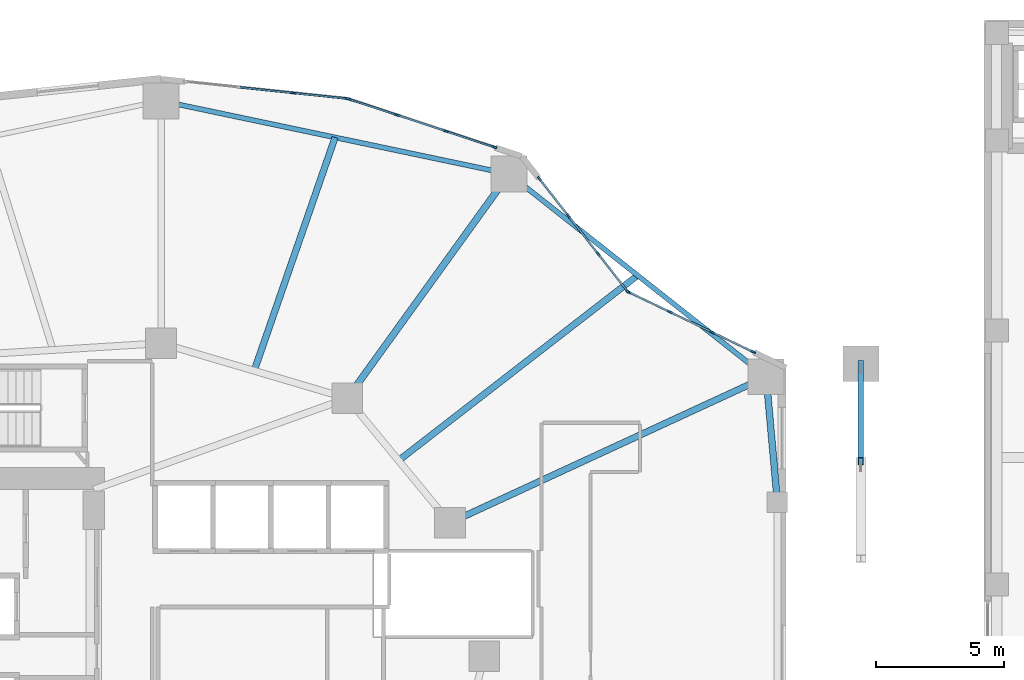
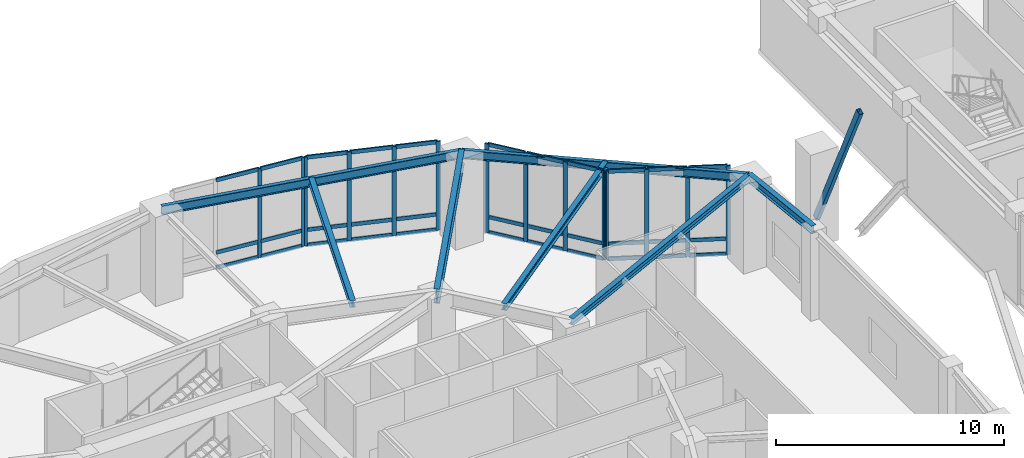
# One storey, part 7 of 24: 48 members, 7 beams, 4 elements without a shape of their own.
"""IFC4 building model written with IfcOpenShell, lengths in metres."""

from ifc_helpers import new_model, si_unit, direction, frame, origin, origin_2d, place, context, subcontext, project, spatial, rectangle, hollow_rectangle, i_section, extrude, material, layer, layer_set, material_profile, profile_set, type_object, element, aggregate, save


model = new_model("IFC4")

# Units and contexts
model_context = context("Model", 3, precision=1e-05, world=origin(), true_north=direction((0.0, 1.0)))
body_context = subcontext(model_context, "Body", "Model", "MODEL_VIEW")
ifc_project = project(units=[si_unit("LENGTHUNIT", "METRE"), si_unit("AREAUNIT", "SQUARE_METRE"), si_unit("VOLUMEUNIT", "CUBIC_METRE"), si_unit("PLANEANGLEUNIT", "RADIAN"), si_unit("MASSUNIT", "GRAM", prefix="KILO")], contexts=[model_context])

# Site, building, storey
site_placement = place(None, origin())
site = spatial("IfcSite", under=ifc_project, at=site_placement, CompositionType="ELEMENT")
building_placement = place(site_placement, origin())
building = spatial("IfcBuilding", under=site, at=building_placement, Name="Kolvaren Gate Tower and Convention Centre", CompositionType="ELEMENT")
storey_placement = place(building_placement, frame((0.0, 0.0, 10.0)))
storey = spatial("IfcBuildingStorey", under=building, at=storey_placement, Name="L02", CompositionType="ELEMENT", Elevation=10.0)

# Curtain wall, members
ifc_material_1 = material(Name="Anodized Architectural Aluminium Alloy 6063-T6", Category="aluminium")
ifc_layer = layer(ifc_material_1, 0.179931640625)
ifc_layer_set = layer_set([ifc_layer], Name="Anodized Architectural Aluminium Alloy 6063-T6")
curtain_wall_type = type_object("IfcCurtainWallType", Name="CW-POD-GLZ", PredefinedType="NOTDEFINED", material=ifc_layer_set)
curtain_wall_1_placement = place(storey_placement, origin())
curtain_wall_1 = element("IfcCurtainWall", 1, at=curtain_wall_1_placement, inside=storey, type_object=curtain_wall_type, Name="Tower L02 Unitised Curtain Wall CW-POD-GLZ Bay 02", PredefinedType="NOTDEFINED")
ifc_material_profile_1 = material_profile(ifc_material_1, rectangle(XDim=0.074951171875, YDim=0.199951171875, at=origin_2d()), Name="CW-MEM-MUL-200")
ifc_profile_set_1 = profile_set([ifc_material_profile_1], Name="Anodized Architectural Aluminium Alloy 6063-T6")
member_type_1 = type_object("IfcMemberType", Name="CW-MEM-MUL-200", PredefinedType="MULLION", material=ifc_profile_set_1)
member_1_placement = place(storey_placement, frame((48.34912109375, 41.196533203125, 0.0), z_axis=(0.0, 0.0, 1.0), x_axis=(0.433062688542, 0.90136380435, 0.0)))
member_1 = element("IfcMember", 2, at=member_1_placement, type_object=member_type_1, Name="CW-01 mullion 1", PredefinedType="MULLION", context=body_context, shape_type="SweptSolid", body=[
    extrude(rectangle(XDim=0.074951171875, YDim=0.199951171875, at=origin_2d()), origin(), (0.0, 0.0, 1.0), 4.760009765625),
])
member_2_placement = place(storey_placement, frame((49.955810546875, 40.424560546875, 0.0), z_axis=(0.0, 0.0, 1.0), x_axis=(0.433062688542, 0.90136380435, 0.0)))
member_2 = element("IfcMember", 3, at=member_2_placement, type_object=member_type_1, Name="CW-01 mullion 2", PredefinedType="MULLION", context=body_context, shape_type="SweptSolid", body=[
    extrude(rectangle(XDim=0.074951171875, YDim=0.199951171875, at=origin_2d()), origin(), (0.0, 0.0, 1.0), 4.760009765625),
])
member_3_placement = place(storey_placement, frame((51.59619140625, 39.636474609375, 0.0), z_axis=(0.0, 0.0, 1.0), x_axis=(0.433062688542, 0.90136380435, 0.0)))
member_3 = element("IfcMember", 4, at=member_3_placement, type_object=member_type_1, Name="CW-01 mullion 3", PredefinedType="MULLION", context=body_context, shape_type="SweptSolid", body=[
    extrude(rectangle(XDim=0.074951171875, YDim=0.199951171875, at=origin_2d()), origin(), (0.0, 0.0, 1.0), 4.760009765625),
])
member_4_placement = place(storey_placement, frame((53.202880859375, 38.864501953125, 0.0), z_axis=(0.0, 0.0, 1.0), x_axis=(0.433062688542, 0.90136380435, 0.0)))
member_4 = element("IfcMember", 5, at=member_4_placement, type_object=member_type_1, Name="CW-01 mullion 4", PredefinedType="MULLION", context=body_context, shape_type="SweptSolid", body=[
    extrude(rectangle(XDim=0.074951171875, YDim=0.199951171875, at=origin_2d()), origin(), (0.0, 0.0, 1.0), 4.760009765625),
])

curtain_wall_2_placement = place(storey_placement, origin())
curtain_wall_2 = element("IfcCurtainWall", 6, at=curtain_wall_2_placement, inside=storey, type_object=curtain_wall_type, Name="Tower L02 Unitised Curtain Wall CW-POD-GLZ Bay 03", PredefinedType="NOTDEFINED")
member_5_placement = place(storey_placement, frame((44.8740234375, 45.60888671875, 0.0), z_axis=(0.0, 0.0, 1.0), x_axis=(0.787413004527, 0.616425794643, 0.0)))
member_5 = element("IfcMember", 7, at=member_5_placement, type_object=member_type_1, Name="CW-01 mullion 1", PredefinedType="MULLION", context=body_context, shape_type="SweptSolid", body=[
    extrude(rectangle(XDim=0.074951171875, YDim=0.199951171875, at=origin_2d()), origin(), (0.0, 0.0, 1.0), 4.760009765625),
])
member_6_placement = place(storey_placement, frame((46.005615234375, 44.1630859375, 0.0), z_axis=(0.0, 0.0, 1.0), x_axis=(0.787413004527, 0.616425794643, 0.0)))
member_6 = element("IfcMember", 8, at=member_6_placement, type_object=member_type_1, Name="CW-01 mullion 2", PredefinedType="MULLION", context=body_context, shape_type="SweptSolid", body=[
    extrude(rectangle(XDim=0.074951171875, YDim=0.199951171875, at=origin_2d()), origin(), (0.0, 0.0, 1.0), 4.760009765625),
])
member_7_placement = place(storey_placement, frame((47.160400390625, 42.68798828125, 0.0), z_axis=(0.0, 0.0, 1.0), x_axis=(0.787413004527, 0.616425794643, 0.0)))
member_7 = element("IfcMember", 9, at=member_7_placement, type_object=member_type_1, Name="CW-01 mullion 3", PredefinedType="MULLION", context=body_context, shape_type="SweptSolid", body=[
    extrude(rectangle(XDim=0.074951171875, YDim=0.199951171875, at=origin_2d()), origin(), (0.0, 0.0, 1.0), 4.760009765625),
])
member_8_placement = place(storey_placement, frame((48.292236328125, 41.242431640625, 0.0), z_axis=(0.0, 0.0, 1.0), x_axis=(0.787413004527, 0.616425794643, 0.0)))
member_8 = element("IfcMember", 10, at=member_8_placement, type_object=member_type_1, Name="CW-01 mullion 4", PredefinedType="MULLION", context=body_context, shape_type="SweptSolid", body=[
    extrude(rectangle(XDim=0.074951171875, YDim=0.199951171875, at=origin_2d()), origin(), (0.0, 0.0, 1.0), 4.760009765625),
])

curtain_wall_3_placement = place(storey_placement, origin())
curtain_wall_3 = element("IfcCurtainWall", 11, at=curtain_wall_3_placement, inside=storey, type_object=curtain_wall_type, Name="Tower L02 Unitised Curtain Wall CW-POD-GLZ Bay 04", PredefinedType="NOTDEFINED")
member_9_placement = place(storey_placement, frame((37.43994140625, 48.721435546875, 0.0), z_axis=(0.0, 0.0, 1.0), x_axis=(0.314541602786, 0.949243688479, 0.0)))
member_9 = element("IfcMember", 12, at=member_9_placement, type_object=member_type_1, Name="CW-01 mullion 1", PredefinedType="MULLION", context=body_context, shape_type="SweptSolid", body=[
    extrude(rectangle(XDim=0.074951171875, YDim=0.199951171875, at=origin_2d()), origin(), (0.0, 0.0, 1.0), 4.760009765625),
])
member_10_placement = place(storey_placement, frame((39.31884765625, 48.098876953125, 0.0), z_axis=(0.0, 0.0, 1.0), x_axis=(0.314541602786, 0.949243688479, 0.0)))
member_10 = element("IfcMember", 13, at=member_10_placement, type_object=member_type_1, Name="CW-01 mullion 2", PredefinedType="MULLION", context=body_context, shape_type="SweptSolid", body=[
    extrude(rectangle(XDim=0.074951171875, YDim=0.199951171875, at=origin_2d()), origin(), (0.0, 0.0, 1.0), 4.760009765625),
])
member_11_placement = place(storey_placement, frame((41.233642578125, 47.46435546875, 0.0), z_axis=(0.0, 0.0, 1.0), x_axis=(0.314541602786, 0.949243688479, 0.0)))
member_11 = element("IfcMember", 14, at=member_11_placement, type_object=member_type_1, Name="CW-01 mullion 3", PredefinedType="MULLION", context=body_context, shape_type="SweptSolid", body=[
    extrude(rectangle(XDim=0.074951171875, YDim=0.199951171875, at=origin_2d()), origin(), (0.0, 0.0, 1.0), 4.760009765625),
])
member_12_placement = place(storey_placement, frame((43.112548828125, 46.841796875, 0.0), z_axis=(0.0, 0.0, 1.0), x_axis=(0.314541602786, 0.949243688479, 0.0)))
member_12 = element("IfcMember", 15, at=member_12_placement, type_object=member_type_1, Name="CW-01 mullion 4", PredefinedType="MULLION", context=body_context, shape_type="SweptSolid", body=[
    extrude(rectangle(XDim=0.074951171875, YDim=0.199951171875, at=origin_2d()), origin(), (0.0, 0.0, 1.0), 4.760009765625),
])

curtain_wall_4_placement = place(storey_placement, origin())
curtain_wall_4 = element("IfcCurtainWall", 16, at=curtain_wall_4_placement, inside=storey, type_object=curtain_wall_type, Name="Tower L02 Unitised Curtain Wall CW-POD-GLZ Bay 05", PredefinedType="NOTDEFINED")
member_13_placement = place(storey_placement, frame((35.285888671875, 48.95654296875, 0.0), z_axis=(0.0, 0.0, 1.0), x_axis=(0.104748319841, 0.994498762941, 0.0)))
member_13 = element("IfcMember", 17, at=member_13_placement, type_object=member_type_1, Name="CW-01 mullion 3", PredefinedType="MULLION", context=body_context, shape_type="SweptSolid", body=[
    extrude(rectangle(XDim=0.074951171875, YDim=0.199951171875, at=origin_2d()), origin(), (0.0, 0.0, 1.0), 4.760009765625),
])
member_14_placement = place(storey_placement, frame((37.366943359375, 48.7373046875, 0.0), z_axis=(0.0, 0.0, 1.0), x_axis=(0.104748319841, 0.994498762941, 0.0)))
member_14 = element("IfcMember", 18, at=member_14_placement, type_object=member_type_1, Name="CW-01 mullion 4", PredefinedType="MULLION", context=body_context, shape_type="SweptSolid", body=[
    extrude(rectangle(XDim=0.074951171875, YDim=0.199951171875, at=origin_2d()), origin(), (0.0, 0.0, 1.0), 4.760009765625),
])

# Member
ifc_material_profile_2 = material_profile(ifc_material_1, rectangle(XDim=0.074951171875, YDim=0.199951171875, at=origin_2d()), Name="CW-MEM-TRN-200")
ifc_profile_set_2 = profile_set([ifc_material_profile_2], Name="Anodized Architectural Aluminium Alloy 6063-T6")
member_type_2 = type_object("IfcMemberType", Name="CW-MEM-TRN-200", PredefinedType="USERDEFINED", material=ifc_profile_set_2)
member_15_placement = place(storey_placement, frame((48.3828125, 41.180419921875, 0.03759765625), z_axis=(0.9013511863, -0.433088950397, 0.0), x_axis=(0.433088950397, 0.9013511863, 0.0)))
member_15 = element("IfcMember", 19, at=member_15_placement, type_object=member_type_2, Name="CW-01 transom 1.1", ObjectType="TRANSOM", PredefinedType="USERDEFINED", context=body_context, shape_type="SweptSolid", body=[
    extrude(rectangle(XDim=0.074951171875, YDim=0.199951171875, at=origin_2d()), origin(), (0.0, 0.0, 1.0), 1.70751953125),
])

member_16_placement = place(storey_placement, frame((48.3828125, 41.180419921875, 0.85009765625), z_axis=(0.9013511863, -0.433088950397, 0.0), x_axis=(0.433088950397, 0.9013511863, 0.0)))
member_16 = element("IfcMember", 20, at=member_16_placement, type_object=member_type_2, Name="CW-01 transom 1.2", ObjectType="TRANSOM", PredefinedType="USERDEFINED", context=body_context, shape_type="SweptSolid", body=[
    extrude(rectangle(XDim=0.074951171875, YDim=0.199951171875, at=origin_2d()), origin(), (0.0, 0.0, 1.0), 1.70751953125),
])

member_17_placement = place(storey_placement, frame((48.3828125, 41.180419921875, 4.722412109375), z_axis=(0.9013511863, -0.433088950397, 0.0), x_axis=(0.433088950397, 0.9013511863, 0.0)))
member_17 = element("IfcMember", 21, at=member_17_placement, type_object=member_type_2, Name="CW-01 transom 1.3", ObjectType="TRANSOM", PredefinedType="USERDEFINED", context=body_context, shape_type="SweptSolid", body=[
    extrude(rectangle(XDim=0.074951171875, YDim=0.199951171875, at=origin_2d()), origin(), (0.0, 0.0, 1.0), 1.70751953125),
])

member_18_placement = place(storey_placement, frame((49.989501953125, 40.408447265625, 0.03759765625), z_axis=(0.901339603895, -0.433113055046, 0.0), x_axis=(0.433113055046, 0.901339603895, 0.0)))
member_18 = element("IfcMember", 22, at=member_18_placement, type_object=member_type_2, Name="CW-01 transom 2.1", ObjectType="TRANSOM", PredefinedType="USERDEFINED", context=body_context, shape_type="SweptSolid", body=[
    extrude(rectangle(XDim=0.074951171875, YDim=0.199951171875, at=origin_2d()), origin(), (0.0, 0.0, 1.0), 1.7451171875),
])

member_19_placement = place(storey_placement, frame((49.989501953125, 40.408447265625, 0.85009765625), z_axis=(0.901339603895, -0.433113055046, 0.0), x_axis=(0.433113055046, 0.901339603895, 0.0)))
member_19 = element("IfcMember", 23, at=member_19_placement, type_object=member_type_2, Name="CW-01 transom 2.2", ObjectType="TRANSOM", PredefinedType="USERDEFINED", context=body_context, shape_type="SweptSolid", body=[
    extrude(rectangle(XDim=0.074951171875, YDim=0.199951171875, at=origin_2d()), origin(), (0.0, 0.0, 1.0), 1.7451171875),
])

member_20_placement = place(storey_placement, frame((49.989501953125, 40.408447265625, 4.722412109375), z_axis=(0.901339603895, -0.433113055046, 0.0), x_axis=(0.433113055046, 0.901339603895, 0.0)))
member_20 = element("IfcMember", 24, at=member_20_placement, type_object=member_type_2, Name="CW-01 transom 2.3", ObjectType="TRANSOM", PredefinedType="USERDEFINED", context=body_context, shape_type="SweptSolid", body=[
    extrude(rectangle(XDim=0.074951171875, YDim=0.199951171875, at=origin_2d()), origin(), (0.0, 0.0, 1.0), 1.7451171875),
])

member_21_placement = place(storey_placement, frame((51.630126953125, 39.6201171875, 0.03759765625), z_axis=(0.901406997018, -0.432972777121, 0.0), x_axis=(0.432972777121, 0.901406997018, 0.0)))
member_21 = element("IfcMember", 25, at=member_21_placement, type_object=member_type_2, Name="CW-01 transom 3.1", ObjectType="TRANSOM", PredefinedType="USERDEFINED", context=body_context, shape_type="SweptSolid", body=[
    extrude(rectangle(XDim=0.074951171875, YDim=0.199951171875, at=origin_2d()), origin(), (0.0, 0.0, 1.0), 1.70751953125),
])

member_22_placement = place(storey_placement, frame((51.630126953125, 39.6201171875, 0.85009765625), z_axis=(0.901406997018, -0.432972777121, 0.0), x_axis=(0.432972777121, 0.901406997018, 0.0)))
member_22 = element("IfcMember", 26, at=member_22_placement, type_object=member_type_2, Name="CW-01 transom 3.2", ObjectType="TRANSOM", PredefinedType="USERDEFINED", context=body_context, shape_type="SweptSolid", body=[
    extrude(rectangle(XDim=0.074951171875, YDim=0.199951171875, at=origin_2d()), origin(), (0.0, 0.0, 1.0), 1.70751953125),
])

member_23_placement = place(storey_placement, frame((51.630126953125, 39.6201171875, 4.722412109375), z_axis=(0.901406997018, -0.432972777121, 0.0), x_axis=(0.432972777121, 0.901406997018, 0.0)))
member_23 = element("IfcMember", 27, at=member_23_placement, type_object=member_type_2, Name="CW-01 transom 3.3", ObjectType="TRANSOM", PredefinedType="USERDEFINED", context=body_context, shape_type="SweptSolid", body=[
    extrude(rectangle(XDim=0.074951171875, YDim=0.199951171875, at=origin_2d()), origin(), (0.0, 0.0, 1.0), 1.70751953125),
])

aggregate(curtain_wall_1, [member_1, member_2, member_3, member_4, member_15, member_16, member_17, member_18, member_19, member_20, member_21, member_22, member_23])

member_24_placement = place(storey_placement, frame((44.89697265625, 45.579345703125, 0.03759765625), z_axis=(0.616375545802, -0.787452339216, 0.0), x_axis=(0.787452339216, 0.616375545802, 0.0)))
member_24 = element("IfcMember", 28, at=member_24_placement, type_object=member_type_2, Name="CW-01 transom 1.1", ObjectType="TRANSOM", PredefinedType="USERDEFINED", context=body_context, shape_type="SweptSolid", body=[
    extrude(rectangle(XDim=0.074951171875, YDim=0.199951171875, at=origin_2d()), origin(), (0.0, 0.0, 1.0), 1.760986328125),
])

member_25_placement = place(storey_placement, frame((44.89697265625, 45.579345703125, 0.85009765625), z_axis=(0.616375545802, -0.787452339216, 0.0), x_axis=(0.787452339216, 0.616375545802, 0.0)))
member_25 = element("IfcMember", 29, at=member_25_placement, type_object=member_type_2, Name="CW-01 transom 1.2", ObjectType="TRANSOM", PredefinedType="USERDEFINED", context=body_context, shape_type="SweptSolid", body=[
    extrude(rectangle(XDim=0.074951171875, YDim=0.199951171875, at=origin_2d()), origin(), (0.0, 0.0, 1.0), 1.760986328125),
])

member_26_placement = place(storey_placement, frame((44.89697265625, 45.579345703125, 4.722412109375), z_axis=(0.616375545802, -0.787452339216, 0.0), x_axis=(0.787452339216, 0.616375545802, 0.0)))
member_26 = element("IfcMember", 30, at=member_26_placement, type_object=member_type_2, Name="CW-01 transom 1.3", ObjectType="TRANSOM", PredefinedType="USERDEFINED", context=body_context, shape_type="SweptSolid", body=[
    extrude(rectangle(XDim=0.074951171875, YDim=0.199951171875, at=origin_2d()), origin(), (0.0, 0.0, 1.0), 1.760986328125),
])

member_27_placement = place(storey_placement, frame((46.02880859375, 44.133544921875, 0.03759765625), z_axis=(0.616465649316, -0.787381802694, 0.0), x_axis=(0.787381802694, 0.616465649316, 0.0)))
member_27 = element("IfcMember", 31, at=member_27_placement, type_object=member_type_2, Name="CW-01 transom 2.1", ObjectType="TRANSOM", PredefinedType="USERDEFINED", context=body_context, shape_type="SweptSolid", body=[
    extrude(rectangle(XDim=0.074951171875, YDim=0.199951171875, at=origin_2d()), origin(), (0.0, 0.0, 1.0), 1.79833984375),
])

member_28_placement = place(storey_placement, frame((46.02880859375, 44.133544921875, 0.85009765625), z_axis=(0.616465649316, -0.787381802694, 0.0), x_axis=(0.787381802694, 0.616465649316, 0.0)))
member_28 = element("IfcMember", 32, at=member_28_placement, type_object=member_type_2, Name="CW-01 transom 2.2", ObjectType="TRANSOM", PredefinedType="USERDEFINED", context=body_context, shape_type="SweptSolid", body=[
    extrude(rectangle(XDim=0.074951171875, YDim=0.199951171875, at=origin_2d()), origin(), (0.0, 0.0, 1.0), 1.79833984375),
])

member_29_placement = place(storey_placement, frame((46.02880859375, 44.133544921875, 4.722412109375), z_axis=(0.616465649316, -0.787381802694, 0.0), x_axis=(0.787381802694, 0.616465649316, 0.0)))
member_29 = element("IfcMember", 33, at=member_29_placement, type_object=member_type_2, Name="CW-01 transom 2.3", ObjectType="TRANSOM", PredefinedType="USERDEFINED", context=body_context, shape_type="SweptSolid", body=[
    extrude(rectangle(XDim=0.074951171875, YDim=0.199951171875, at=origin_2d()), origin(), (0.0, 0.0, 1.0), 1.79833984375),
])

member_30_placement = place(storey_placement, frame((47.18359375, 42.658447265625, 0.03759765625), z_axis=(0.616442840137, -0.787399660175, 0.0), x_axis=(0.787399660175, 0.616442840137, 0.0)))
member_30 = element("IfcMember", 34, at=member_30_placement, type_object=member_type_2, Name="CW-01 transom 3.1", ObjectType="TRANSOM", PredefinedType="USERDEFINED", context=body_context, shape_type="SweptSolid", body=[
    extrude(rectangle(XDim=0.074951171875, YDim=0.199951171875, at=origin_2d()), origin(), (0.0, 0.0, 1.0), 1.7607421875),
])

member_31_placement = place(storey_placement, frame((47.18359375, 42.658447265625, 0.85009765625), z_axis=(0.616442840137, -0.787399660175, 0.0), x_axis=(0.787399660175, 0.616442840137, 0.0)))
member_31 = element("IfcMember", 35, at=member_31_placement, type_object=member_type_2, Name="CW-01 transom 3.2", ObjectType="TRANSOM", PredefinedType="USERDEFINED", context=body_context, shape_type="SweptSolid", body=[
    extrude(rectangle(XDim=0.074951171875, YDim=0.199951171875, at=origin_2d()), origin(), (0.0, 0.0, 1.0), 1.7607421875),
])

member_32_placement = place(storey_placement, frame((47.18359375, 42.658447265625, 4.722412109375), z_axis=(0.616442840137, -0.787399660175, 0.0), x_axis=(0.787399660175, 0.616442840137, 0.0)))
member_32 = element("IfcMember", 36, at=member_32_placement, type_object=member_type_2, Name="CW-01 transom 3.3", ObjectType="TRANSOM", PredefinedType="USERDEFINED", context=body_context, shape_type="SweptSolid", body=[
    extrude(rectangle(XDim=0.074951171875, YDim=0.199951171875, at=origin_2d()), origin(), (0.0, 0.0, 1.0), 1.7607421875),
])

aggregate(curtain_wall_2, [member_5, member_6, member_7, member_8, member_24, member_25, member_26, member_27, member_28, member_29, member_30, member_31, member_32])

member_33_placement = place(storey_placement, frame((37.4755859375, 48.709716796875, 0.03759765625), z_axis=(0.949233065789, -0.314573658804, 0.0), x_axis=(0.314573658804, 0.949233065789, 0.0)))
member_33 = element("IfcMember", 37, at=member_33_placement, type_object=member_type_2, Name="CW-01 transom 1.1", ObjectType="TRANSOM", PredefinedType="USERDEFINED", context=body_context, shape_type="SweptSolid", body=[
    extrude(rectangle(XDim=0.074951171875, YDim=0.199951171875, at=origin_2d()), origin(), (0.0, 0.0, 1.0), 1.904541015625),
])

member_34_placement = place(storey_placement, frame((37.4755859375, 48.709716796875, 0.85009765625), z_axis=(0.949233065789, -0.314573658804, 0.0), x_axis=(0.314573658804, 0.949233065789, 0.0)))
member_34 = element("IfcMember", 38, at=member_34_placement, type_object=member_type_2, Name="CW-01 transom 1.2", ObjectType="TRANSOM", PredefinedType="USERDEFINED", context=body_context, shape_type="SweptSolid", body=[
    extrude(rectangle(XDim=0.074951171875, YDim=0.199951171875, at=origin_2d()), origin(), (0.0, 0.0, 1.0), 1.904541015625),
])

member_35_placement = place(storey_placement, frame((37.4755859375, 48.709716796875, 4.722412109375), z_axis=(0.949233065789, -0.314573658804, 0.0), x_axis=(0.314573658804, 0.949233065789, 0.0)))
member_35 = element("IfcMember", 39, at=member_35_placement, type_object=member_type_2, Name="CW-01 transom 1.3", ObjectType="TRANSOM", PredefinedType="USERDEFINED", context=body_context, shape_type="SweptSolid", body=[
    extrude(rectangle(XDim=0.074951171875, YDim=0.199951171875, at=origin_2d()), origin(), (0.0, 0.0, 1.0), 1.904541015625),
])

member_36_placement = place(storey_placement, frame((39.3544921875, 48.087158203125, 0.03759765625), z_axis=(0.949247481786, -0.314530154871, 0.0), x_axis=(0.314530154871, 0.949247481786, 0.0)))
member_36 = element("IfcMember", 40, at=member_36_placement, type_object=member_type_2, Name="CW-01 transom 2.1", ObjectType="TRANSOM", PredefinedType="USERDEFINED", context=body_context, shape_type="SweptSolid", body=[
    extrude(rectangle(XDim=0.074951171875, YDim=0.199951171875, at=origin_2d()), origin(), (0.0, 0.0, 1.0), 1.942138671875),
])

member_37_placement = place(storey_placement, frame((39.3544921875, 48.087158203125, 0.85009765625), z_axis=(0.949247481786, -0.314530154871, 0.0), x_axis=(0.314530154871, 0.949247481786, 0.0)))
member_37 = element("IfcMember", 41, at=member_37_placement, type_object=member_type_2, Name="CW-01 transom 2.2", ObjectType="TRANSOM", PredefinedType="USERDEFINED", context=body_context, shape_type="SweptSolid", body=[
    extrude(rectangle(XDim=0.074951171875, YDim=0.199951171875, at=origin_2d()), origin(), (0.0, 0.0, 1.0), 1.942138671875),
])

member_38_placement = place(storey_placement, frame((39.3544921875, 48.087158203125, 4.722412109375), z_axis=(0.949247481786, -0.314530154871, 0.0), x_axis=(0.314530154871, 0.949247481786, 0.0)))
member_38 = element("IfcMember", 42, at=member_38_placement, type_object=member_type_2, Name="CW-01 transom 2.3", ObjectType="TRANSOM", PredefinedType="USERDEFINED", context=body_context, shape_type="SweptSolid", body=[
    extrude(rectangle(XDim=0.074951171875, YDim=0.199951171875, at=origin_2d()), origin(), (0.0, 0.0, 1.0), 1.942138671875),
])

member_39_placement = place(storey_placement, frame((41.26904296875, 47.45263671875, 0.03759765625), z_axis=(0.949233065789, -0.314573658804, 0.0), x_axis=(0.314573658804, 0.949233065789, 0.0)))
member_39 = element("IfcMember", 43, at=member_39_placement, type_object=member_type_2, Name="CW-01 transom 3.1", ObjectType="TRANSOM", PredefinedType="USERDEFINED", context=body_context, shape_type="SweptSolid", body=[
    extrude(rectangle(XDim=0.074951171875, YDim=0.199951171875, at=origin_2d()), origin(), (0.0, 0.0, 1.0), 1.904541015625),
])

member_40_placement = place(storey_placement, frame((41.26904296875, 47.45263671875, 0.85009765625), z_axis=(0.949233065789, -0.314573658804, 0.0), x_axis=(0.314573658804, 0.949233065789, 0.0)))
member_40 = element("IfcMember", 44, at=member_40_placement, type_object=member_type_2, Name="CW-01 transom 3.2", ObjectType="TRANSOM", PredefinedType="USERDEFINED", context=body_context, shape_type="SweptSolid", body=[
    extrude(rectangle(XDim=0.074951171875, YDim=0.199951171875, at=origin_2d()), origin(), (0.0, 0.0, 1.0), 1.904541015625),
])

member_41_placement = place(storey_placement, frame((41.26904296875, 47.45263671875, 4.722412109375), z_axis=(0.949233065789, -0.314573658804, 0.0), x_axis=(0.314573658804, 0.949233065789, 0.0)))
member_41 = element("IfcMember", 45, at=member_41_placement, type_object=member_type_2, Name="CW-01 transom 3.3", ObjectType="TRANSOM", PredefinedType="USERDEFINED", context=body_context, shape_type="SweptSolid", body=[
    extrude(rectangle(XDim=0.074951171875, YDim=0.199951171875, at=origin_2d()), origin(), (0.0, 0.0, 1.0), 1.904541015625),
])

aggregate(curtain_wall_3, [member_9, member_10, member_11, member_12, member_33, member_34, member_35, member_36, member_37, member_38, member_39, member_40, member_41])

member_42_placement = place(storey_placement, frame((33.20458984375, 49.175537109375, 0.03759765625), z_axis=(0.994508706958, -0.104653866559, 0.0), x_axis=(0.104653866559, 0.994508706958, 0.0)))
member_42 = element("IfcMember", 46, at=member_42_placement, type_object=member_type_2, Name="CW-01 transom 2.1", ObjectType="TRANSOM", PredefinedType="USERDEFINED", context=body_context, shape_type="SweptSolid", body=[
    extrude(rectangle(XDim=0.074951171875, YDim=0.199951171875, at=origin_2d()), origin(), (0.0, 0.0, 1.0), 2.05517578125),
])

member_43_placement = place(storey_placement, frame((33.20458984375, 49.175537109375, 0.85009765625), z_axis=(0.994508706958, -0.104653866559, 0.0), x_axis=(0.104653866559, 0.994508706958, 0.0)))
member_43 = element("IfcMember", 47, at=member_43_placement, type_object=member_type_2, Name="CW-01 transom 2.2", ObjectType="TRANSOM", PredefinedType="USERDEFINED", context=body_context, shape_type="SweptSolid", body=[
    extrude(rectangle(XDim=0.074951171875, YDim=0.199951171875, at=origin_2d()), origin(), (0.0, 0.0, 1.0), 2.05517578125),
])

member_44_placement = place(storey_placement, frame((33.20458984375, 49.175537109375, 4.722412109375), z_axis=(0.994508706958, -0.104653866559, 0.0), x_axis=(0.104653866559, 0.994508706958, 0.0)))
member_44 = element("IfcMember", 48, at=member_44_placement, type_object=member_type_2, Name="CW-01 transom 2.3", ObjectType="TRANSOM", PredefinedType="USERDEFINED", context=body_context, shape_type="SweptSolid", body=[
    extrude(rectangle(XDim=0.074951171875, YDim=0.199951171875, at=origin_2d()), origin(), (0.0, 0.0, 1.0), 2.05517578125),
])

member_45_placement = place(storey_placement, frame((35.3232421875, 48.952392578125, 0.03759765625), z_axis=(0.9945074418, -0.104665888448, 0.0), x_axis=(0.104665888448, 0.9945074418, 0.0)))
member_45 = element("IfcMember", 49, at=member_45_placement, type_object=member_type_2, Name="CW-01 transom 3.1", ObjectType="TRANSOM", PredefinedType="USERDEFINED", context=body_context, shape_type="SweptSolid", body=[
    extrude(rectangle(XDim=0.074951171875, YDim=0.199951171875, at=origin_2d()), origin(), (0.0, 0.0, 1.0), 2.017578125),
])

member_46_placement = place(storey_placement, frame((35.3232421875, 48.952392578125, 0.85009765625), z_axis=(0.9945074418, -0.104665888448, 0.0), x_axis=(0.104665888448, 0.9945074418, 0.0)))
member_46 = element("IfcMember", 50, at=member_46_placement, type_object=member_type_2, Name="CW-01 transom 3.2", ObjectType="TRANSOM", PredefinedType="USERDEFINED", context=body_context, shape_type="SweptSolid", body=[
    extrude(rectangle(XDim=0.074951171875, YDim=0.199951171875, at=origin_2d()), origin(), (0.0, 0.0, 1.0), 2.017578125),
])

member_47_placement = place(storey_placement, frame((35.3232421875, 48.952392578125, 4.722412109375), z_axis=(0.9945074418, -0.104665888448, 0.0), x_axis=(0.104665888448, 0.9945074418, 0.0)))
member_47 = element("IfcMember", 51, at=member_47_placement, type_object=member_type_2, Name="CW-01 transom 3.3", ObjectType="TRANSOM", PredefinedType="USERDEFINED", context=body_context, shape_type="SweptSolid", body=[
    extrude(rectangle(XDim=0.074951171875, YDim=0.199951171875, at=origin_2d()), origin(), (0.0, 0.0, 1.0), 2.017578125),
])

aggregate(curtain_wall_4, [member_13, member_14, member_42, member_43, member_44, member_45, member_46, member_47])

# Beams
ifc_material_2 = material(Name="Structural steel ASTM A992 Grade 345 MPa", Category="steel")
ifc_material_profile_3 = material_profile(ifc_material_2, i_section(OverallWidth=0.260986328125, OverallDepth=0.419921875, WebThickness=0.01171875, FlangeThickness=0.019287109375, at=origin_2d()), Name="W410X114")
ifc_profile_set_3 = profile_set([ifc_material_profile_3], Name="Structural steel ASTM A992 Grade 345 MPa")
beam_type_1 = type_object("IfcBeamType", Name="STR-BM-W410X114", PredefinedType="BEAM", material=ifc_profile_set_3)
beam_1_placement = place(storey_placement, frame((54.14990234375, 33.0, 4.550048828125), z_axis=(-0.089491797753, 0.995987559227, 0.0), x_axis=(-0.995987559227, -0.089491797753, 0.0)))
element("IfcBeam", 52, at=beam_1_placement, inside=storey, type_object=beam_type_1, Name="Tower L02 Recessed Arch Edge Spandrel AE-3", PredefinedType="BEAM", context=body_context, shape_type="SweptSolid", body=[
    extrude(i_section(OverallWidth=0.260986328125, OverallDepth=0.419921875, WebThickness=0.01171875, FlangeThickness=0.019287109375, at=origin_2d()), origin(), (0.0, 0.0, 1.0), 4.913330078125),
])
ifc_material_profile_4 = material_profile(ifc_material_2, i_section(OverallWidth=0.26806640625, OverallDepth=0.758056640625, WebThickness=0.016357421875, FlangeThickness=0.025390625, at=origin_2d()), Name="W760X220")
ifc_profile_set_4 = profile_set([ifc_material_profile_4], Name="Structural steel ASTM A992 Grade 345 MPa")
beam_type_2 = type_object("IfcBeamType", Name="STR-BM-W760X220", PredefinedType="BEAM", material=ifc_profile_set_4)
beam_2_placement = place(storey_placement, frame((37.381591796875, 37.054931640625, 4.381103515625), z_axis=(0.585205244783, 0.81088520857, 0.0), x_axis=(-0.81088520857, 0.585205244783, 0.0)))
element("IfcBeam", 53, at=beam_2_placement, inside=storey, type_object=beam_type_2, Name="Tower L02 Radial Floor Girder RB-03", PredefinedType="BEAM", context=body_context, shape_type="SweptSolid", body=[
    extrude(i_section(OverallWidth=0.26806640625, OverallDepth=0.758056640625, WebThickness=0.016357421875, FlangeThickness=0.025390625, at=origin_2d()), origin(), (0.0, 0.0, 1.0), 10.780029296875),
])
ifc_material_profile_5 = material_profile(ifc_material_2, i_section(OverallWidth=0.2548828125, OverallDepth=0.35693359375, WebThickness=0.010498046875, FlangeThickness=0.018310546875, at=origin_2d()), Name="W360X101")
ifc_profile_set_5 = profile_set([ifc_material_profile_5], Name="Structural steel ASTM A992 Grade 345 MPa")
beam_type_3 = type_object("IfcBeamType", Name="STR-JS-W360X101", PredefinedType="JOIST", material=ifc_profile_set_5)
beam_3_placement = place(storey_placement, frame((41.382080078125, 32.199462890625, 4.58154296875), z_axis=(0.907842006347, 0.419312403241, 0.0), x_axis=(-0.419312403241, 0.907842006347, 0.0)))
element("IfcBeam", 54, at=beam_3_placement, inside=storey, type_object=beam_type_3, Name="Tower L02 Radial Floor Girder RB-02", PredefinedType="JOIST", context=body_context, shape_type="SweptSolid", body=[
    extrude(i_section(OverallWidth=0.2548828125, OverallDepth=0.35693359375, WebThickness=0.010498046875, FlangeThickness=0.018310546875, at=origin_2d()), origin(), (0.0, 0.0, 1.0), 13.57958984375),
])
beam_4_placement = place(storey_placement, frame((39.3818359375, 34.627197265625, 4.58154296875), z_axis=(0.790577493994, 0.612362005671, 0.0), x_axis=(-0.612362005671, 0.790577493994, 0.0)))
element("IfcBeam", 55, at=beam_4_placement, inside=storey, type_object=beam_type_3, Name="Tower L02 Secondary Composite Floor Joist J-02.1", PredefinedType="JOIST", context=body_context, shape_type="SweptSolid", body=[
    extrude(i_section(OverallWidth=0.2548828125, OverallDepth=0.35693359375, WebThickness=0.010498046875, FlangeThickness=0.018310546875, at=origin_2d()), origin(), (0.0, 0.0, 1.0), 11.786865234375),
])
beam_5_placement = place(storey_placement, frame((33.75341796875, 38.12744140625, 4.58154296875), z_axis=(0.327647050942, 0.944800195813, 0.0), x_axis=(-0.944800195813, 0.327647050942, 0.0)))
element("IfcBeam", 56, at=beam_5_placement, inside=storey, type_object=beam_type_3, Name="Tower L02 Secondary Composite Floor Joist J-03.1", PredefinedType="JOIST", context=body_context, shape_type="SweptSolid", body=[
    extrude(i_section(OverallWidth=0.2548828125, OverallDepth=0.35693359375, WebThickness=0.010498046875, FlangeThickness=0.018310546875, at=origin_2d()), origin(), (0.0, 0.0, 1.0), 9.627197265625),
])
ifc_material_profile_6 = material_profile(ifc_material_2, i_section(OverallWidth=0.194091796875, OverallDepth=0.468994140625, WebThickness=0.0126953125, FlangeThickness=0.0205078125, at=origin_2d()), Name="W460X106")
ifc_profile_set_6 = profile_set([ifc_material_profile_6], Name="Structural steel ASTM A992 Grade 345 MPa")
beam_type_4 = type_object("IfcBeamType", Name="STR-SP-W460X106", PredefinedType="SPANDREL", material=ifc_profile_set_6)
beam_6_placement = place(storey_placement, frame((53.710205078125, 37.8935546875, 4.525390625), z_axis=(-0.785176498861, 0.619272044933, 0.0), x_axis=(-0.619272044933, -0.785176498861, 0.0)))
element("IfcBeam", 57, at=beam_6_placement, inside=storey, type_object=beam_type_4, Name="Tower L02 Perimeter Spandrel Beam SP-02", PredefinedType="SPANDREL", context=body_context, shape_type="SweptSolid", body=[
    extrude(i_section(OverallWidth=0.194091796875, OverallDepth=0.468994140625, WebThickness=0.0126953125, FlangeThickness=0.0205078125, at=origin_2d()), origin(), (0.0, 0.0, 1.0), 12.761474609375),
])
beam_7_placement = place(storey_placement, frame((43.690185546875, 45.79638671875, 4.525390625), z_axis=(-0.978583407863, 0.205850707685, 0.0), x_axis=(-0.205850707685, -0.978583407863, 0.0)))
element("IfcBeam", 58, at=beam_7_placement, inside=storey, type_object=beam_type_4, Name="Tower L02 Perimeter Spandrel Beam SP-03", PredefinedType="SPANDREL", context=body_context, shape_type="SweptSolid", body=[
    extrude(i_section(OverallWidth=0.194091796875, OverallDepth=0.468994140625, WebThickness=0.0126953125, FlangeThickness=0.0205078125, at=origin_2d()), origin(), (0.0, 0.0, 1.0), 13.862060546875),
])

# Member
ifc_material_3 = material(Name="Structural steel ASTM A500 Grade C 345 MPa", Category="steel")
ifc_material_profile_7 = material_profile(ifc_material_3, hollow_rectangle(XDim=0.202880859375, YDim=0.304931640625, WallThickness=0.0126953125, at=origin_2d()), Name="HSS305X203X12.7")
ifc_profile_set_7 = profile_set([ifc_material_profile_7], Name="Structural steel ASTM A500 Grade C 345 MPa")
member_type_3 = type_object("IfcMemberType", Name="STR-ST-HSS305X203", PredefinedType="STRUT", material=ifc_profile_set_7)
member_48_placement = place(storey_placement, frame((57.39990234375, 38.39990234375, 0.780029296875), z_axis=(0.0, -0.429916424758, 0.902868687974), x_axis=(1.0, 0.0, 0.0)))
element("IfcMember", 59, at=member_48_placement, inside=storey, type_object=member_type_3, Name="Portal Arch Spandrel Diagonal Strut ASD-06", PredefinedType="STRUT", context=body_context, shape_type="SweptSolid", body=[
    extrude(hollow_rectangle(XDim=0.202880859375, YDim=0.304931640625, WallThickness=0.0126953125, at=origin_2d()), origin(), (0.0, 0.0, 1.0), 8.83837890625),
])

save(model, "model.ifc")
